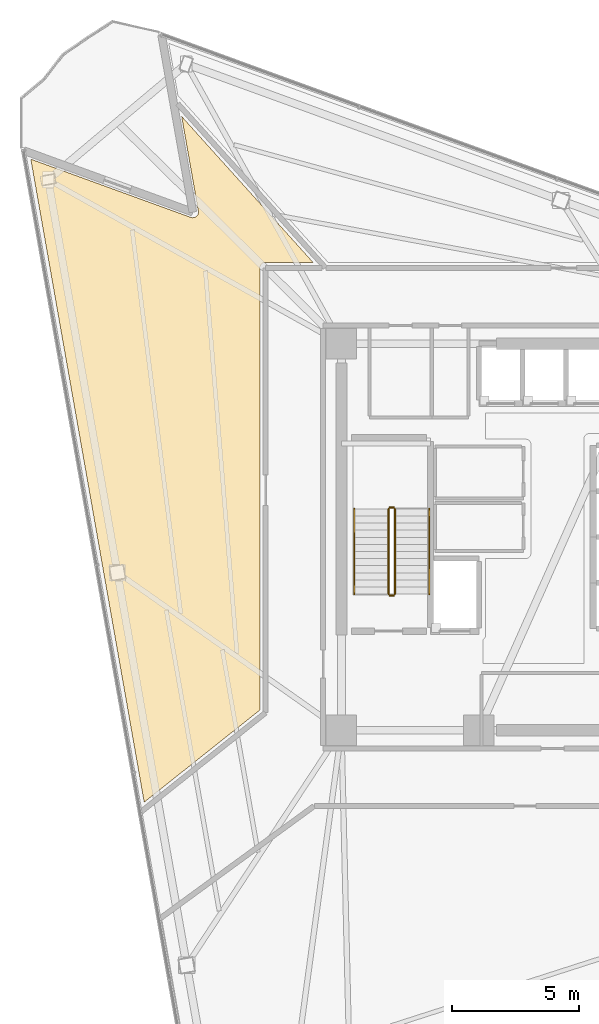
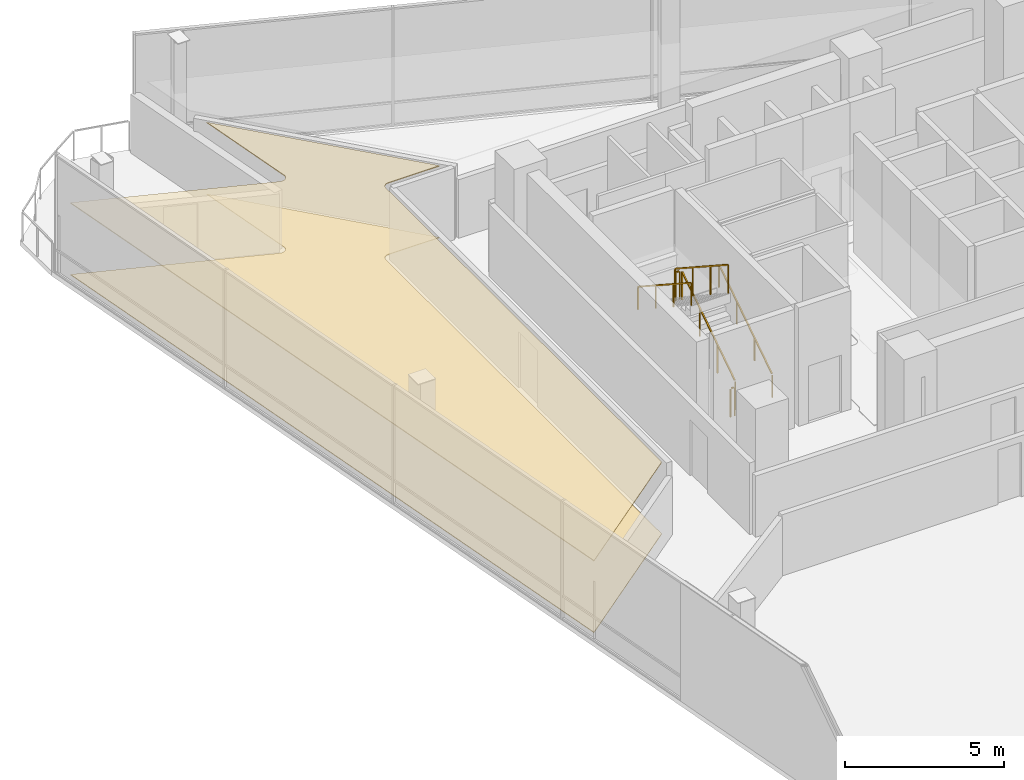
# One storey, part 13 of 15: 6 railings, 2 coverings.
"""IFC4 building model written with IfcOpenShell, lengths in metres."""

from ifc_helpers import new_model, si_unit, direction, frame, origin, origin_2d, place, context, subcontext, project, spatial, polyline, rectangle, outline, extrude, material, layer, layer_set, type_object, element, save


model = new_model("IFC4")

# Units and contexts
model_context = context("Model", 3, precision=1e-05, world=origin(), true_north=direction((0.0, 1.0)))
body_context = subcontext(model_context, "Body", "Model", "MODEL_VIEW")
ifc_project = project(units=[si_unit("LENGTHUNIT", "METRE"), si_unit("AREAUNIT", "SQUARE_METRE"), si_unit("VOLUMEUNIT", "CUBIC_METRE"), si_unit("PLANEANGLEUNIT", "RADIAN"), si_unit("MASSUNIT", "GRAM", prefix="KILO")], contexts=[model_context])

# Site, building, storey
site_placement = place(None, origin())
site = spatial("IfcSite", under=ifc_project, at=site_placement, CompositionType="ELEMENT")
building_placement = place(site_placement, origin())
building = spatial("IfcBuilding", under=site, at=building_placement, Name="Tharavind Bronze Gate", CompositionType="ELEMENT")
storey_placement = place(building_placement, frame((0.0, 0.0, 192.10009765625)))
storey = spatial("IfcBuildingStorey", under=building, at=storey_placement, Name="L49", CompositionType="ELEMENT", Elevation=192.10009765625)

# Coverings
ifc_material_1 = material(Name="Perforated Bronze Acoustic Panel", Category="bronze")
ifc_layer_1 = layer(ifc_material_1, 0.044921875)
ifc_layer_set_1 = layer_set([ifc_layer_1], Name="Perforated Bronze Acoustic Panel")
covering_type_1 = type_object("IfcCoveringType", Name="ACOUSTIC BRONZE BAFFLE CEILING", PredefinedType="CEILING", material=ifc_layer_set_1)
covering_1_placement = place(storey_placement, frame((0.0, 0.0, 2.75)))
element("IfcCovering", 1, at=covering_1_placement, inside=storey, type_object=covering_type_1, Name="L49-RM-02 suspended ceiling", PredefinedType="CEILING", context=body_context, shape_type="SweptSolid", body=[
    extrude(outline(polyline([(-16.656494140625, -10.42431640625), (-12.10009765625, -6.79736328125), (-12.10009765625, 10.579345703125), (-12.099609375, 10.590087890625), (-12.099609375, 10.5908203125), (-12.09765625, 10.6123046875), (-12.093505859375, 10.63330078125), (-12.087158203125, 10.654052734375), (-12.078857421875, 10.674072265625), (-12.068603515625, 10.693115234375), (-12.056640625, 10.7109375), (-12.04296875, 10.727783203125), (-12.027587890625, 10.742919921875), (-12.010986328125, 10.756591796875), (-11.9931640625, 10.768798828125), (-11.97412109375, 10.77880859375), (-11.9541015625, 10.787109375), (-11.933349609375, 10.79345703125), (-11.912353515625, 10.797607421875), (-11.890869140625, 10.7998046875), (-11.89013671875, 10.7998046875), (-11.87939453125, 10.800048828125), (-10.0205078125, 10.800048828125), (-15.183837890625, 16.53466796875), (-14.527099609375, 12.8095703125), (-14.525390625, 12.798828125), (-14.525390625, 12.798095703125), (-14.523681640625, 12.7763671875), (-14.5244140625, 12.75439453125), (-14.527099609375, 12.732666015625), (-14.531982421875, 12.711181640625), (-14.538818359375, 12.6904296875), (-14.5478515625, 12.67041015625), (-14.558837890625, 12.651611328125), (-14.571533203125, 12.6337890625), (-14.586181640625, 12.6171875), (-14.602294921875, 12.602294921875), (-14.61962890625, 12.589111328125), (-14.638427734375, 12.57763671875), (-14.658203125, 12.568115234375), (-14.6787109375, 12.560546875), (-14.699951171875, 12.55517578125), (-14.7216796875, 12.552001953125), (-14.74365234375, 12.55078125), (-14.765380859375, 12.552001953125), (-14.787109375, 12.55517578125), (-14.80859375, 12.560546875), (-14.80908203125, 12.560791015625), (-14.8193359375, 12.564208984375), (-21.114013671875, 14.855224609375), (-16.656494140625, -10.42431640625)])), origin(), (0.0, 0.0, 1.0), 0.034912109375),
])
ifc_material_2 = material(Name="Engineered Oak & Carpet Tile", Category="wood")
ifc_layer_2 = layer(ifc_material_2, 0.02490234375)
ifc_layer_set_2 = layer_set([ifc_layer_2], Name="Engineered Oak & Carpet Tile")
covering_type_2 = type_object("IfcCoveringType", Name="ENGINEERED TIMBER FLOORING", PredefinedType="FLOORING", material=ifc_layer_set_2)
covering_2_placement = place(storey_placement, origin())
element("IfcCovering", 2, at=covering_2_placement, inside=storey, type_object=covering_type_2, Name="L49-RM-02 floor finish", PredefinedType="FLOORING", context=body_context, shape_type="SweptSolid", body=[
    extrude(outline(polyline([(-16.656494140625, -10.42431640625), (-12.10009765625, -6.79736328125), (-12.10009765625, 10.579345703125), (-12.099609375, 10.590087890625), (-12.099609375, 10.5908203125), (-12.09765625, 10.6123046875), (-12.093505859375, 10.63330078125), (-12.087158203125, 10.654052734375), (-12.078857421875, 10.674072265625), (-12.068603515625, 10.693115234375), (-12.056640625, 10.7109375), (-12.04296875, 10.727783203125), (-12.027587890625, 10.742919921875), (-12.010986328125, 10.756591796875), (-11.9931640625, 10.768798828125), (-11.97412109375, 10.77880859375), (-11.9541015625, 10.787109375), (-11.933349609375, 10.79345703125), (-11.912353515625, 10.797607421875), (-11.890869140625, 10.7998046875), (-11.89013671875, 10.7998046875), (-11.87939453125, 10.800048828125), (-10.0205078125, 10.800048828125), (-15.183837890625, 16.53466796875), (-14.527099609375, 12.8095703125), (-14.525390625, 12.798828125), (-14.525390625, 12.798095703125), (-14.523681640625, 12.7763671875), (-14.5244140625, 12.75439453125), (-14.527099609375, 12.732666015625), (-14.531982421875, 12.711181640625), (-14.538818359375, 12.6904296875), (-14.5478515625, 12.67041015625), (-14.558837890625, 12.651611328125), (-14.571533203125, 12.6337890625), (-14.586181640625, 12.6171875), (-14.602294921875, 12.602294921875), (-14.61962890625, 12.589111328125), (-14.638427734375, 12.57763671875), (-14.658203125, 12.568115234375), (-14.6787109375, 12.560546875), (-14.699951171875, 12.55517578125), (-14.7216796875, 12.552001953125), (-14.74365234375, 12.55078125), (-14.765380859375, 12.552001953125), (-14.787109375, 12.55517578125), (-14.80859375, 12.560546875), (-14.80908203125, 12.560791015625), (-14.8193359375, 12.564208984375), (-21.114013671875, 14.855224609375), (-16.656494140625, -10.42431640625)])), origin(), (0.0, 0.0, 1.0), 0.02490234375),
])

# Railings
ifc_material_3 = material(Name="Brushed Bronze Alloy", Category="metal")
railing_type_1 = type_object("IfcRailingType", Name="STAIR BRONZE HANDRAIL 900", PredefinedType="HANDRAIL", material=ifc_material_3)
railing_1_placement = place(storey_placement, frame((-5.449951171875, -2.25, 0.1826171875)))
element("IfcRailing", 3, at=railing_1_placement, inside=storey, type_object=railing_type_1, Name="L49 ST1 stair handrail 1", PredefinedType="HANDRAIL", context=body_context, shape_type="SweptSolid", body=[
    extrude(rectangle(XDim=0.048095703125, YDim=0.048095703125, at=origin_2d()), frame((0.0, 0.02685546875, 0.893310546875), z_axis=(0.0, 0.837495574281, 0.546444107901), x_axis=(-1.0, 0.0, 0.0)), (0.0, 0.0, 1.0), 3.947998046875),
    extrude(rectangle(XDim=0.0400390625, YDim=0.0400390625, at=origin_2d()), origin(), (0.0, 0.0, 1.0), 0.847900390625),
    extrude(rectangle(XDim=0.0400390625, YDim=0.0400390625, at=origin_2d()), frame((0.0, 1.1201171875, 0.730712890625)), (0.0, 0.0, 1.0), 0.847900390625),
    extrude(rectangle(XDim=0.0400390625, YDim=0.0400390625, at=origin_2d()), frame((0.0, 2.239990234375, 1.461669921875)), (0.0, 0.0, 1.0), 0.847900390625),
    extrude(rectangle(XDim=0.0400390625, YDim=0.0400390625, at=origin_2d()), frame((0.0, 3.360107421875, 2.1923828125)), (0.0, 0.0, 1.0), 0.847900390625),
])
railing_2_placement = place(storey_placement, frame((-8.39990234375, 1.110107421875, 2.5576171875)))
element("IfcRailing", 4, at=railing_2_placement, inside=storey, type_object=railing_type_1, Name="L49 ST1 stair handrail 2", PredefinedType="HANDRAIL", context=body_context, shape_type="SweptSolid", body=[
    extrude(rectangle(XDim=0.048095703125, YDim=0.048095703125, at=origin_2d()), frame((0.0, -0.02685546875, 0.893310546875), z_axis=(0.0, -0.837495574281, 0.546444107901), x_axis=(1.0, 0.0, 0.0)), (0.0, 0.0, 1.0), 3.947998046875),
    extrude(rectangle(XDim=0.0400390625, YDim=0.0400390625, at=origin_2d()), origin(), (0.0, 0.0, 1.0), 0.847900390625),
    extrude(rectangle(XDim=0.0400390625, YDim=0.0400390625, at=origin_2d()), frame((0.0, -1.1201171875, 0.730712890625)), (0.0, 0.0, 1.0), 0.847900390625),
    extrude(rectangle(XDim=0.0400390625, YDim=0.0400390625, at=origin_2d()), frame((0.0, -2.239990234375, 1.461669921875)), (0.0, 0.0, 1.0), 0.847900390625),
    extrude(rectangle(XDim=0.0400390625, YDim=0.0400390625, at=origin_2d()), frame((0.0, -3.360107421875, 2.1923828125)), (0.0, 0.0, 1.0), 0.847900390625),
])
railing_type_2 = type_object("IfcRailingType", Name="STAIR WELL GUARD RAILING 1120", PredefinedType="GUARDRAIL", material=ifc_material_3)
railing_3_placement = place(storey_placement, frame((-6.800048828125, -2.25, 0.1826171875)))
element("IfcRailing", 5, at=railing_3_placement, inside=storey, type_object=railing_type_2, Name="L49 ST1 stair guard 1", PredefinedType="GUARDRAIL", context=body_context, shape_type="SweptSolid", body=[
    extrude(rectangle(XDim=0.048095703125, YDim=0.048095703125, at=origin_2d()), frame((0.0, 0.02685546875, 1.113525390625), z_axis=(0.0, 0.837495574281, 0.546444107901), x_axis=(-1.0, 0.0, 0.0)), (0.0, 0.0, 1.0), 3.947998046875),
    extrude(rectangle(XDim=0.0400390625, YDim=0.0400390625, at=origin_2d()), origin(), (0.0, 0.0, 1.0), 1.068115234375),
    extrude(rectangle(XDim=0.0400390625, YDim=0.0400390625, at=origin_2d()), frame((0.0, 1.1201171875, 0.730712890625)), (0.0, 0.0, 1.0), 1.068115234375),
    extrude(rectangle(XDim=0.0400390625, YDim=0.0400390625, at=origin_2d()), frame((0.0, 2.239990234375, 1.461669921875)), (0.0, 0.0, 1.0), 1.068115234375),
    extrude(rectangle(XDim=0.0400390625, YDim=0.0400390625, at=origin_2d()), frame((0.0, 3.360107421875, 2.1923828125)), (0.0, 0.0, 1.0), 1.068115234375),
])
railing_4_placement = place(storey_placement, frame((-6.85009765625, 1.159912109375, 2.375)))
element("IfcRailing", 6, at=railing_4_placement, inside=storey, type_object=railing_type_2, Name="L49 ST1 stair guard 2", PredefinedType="GUARDRAIL", context=body_context, shape_type="SweptSolid", body=[
    extrude(rectangle(XDim=0.048095703125, YDim=0.048095703125, at=origin_2d()), frame((-0.031982421875, 0.0, 1.09619140625), z_axis=(-1.0, 0.0, 0.0), x_axis=(0.0, -1.0, 0.0)), (0.0, 0.0, 1.0), 0.0859375),
    extrude(rectangle(XDim=0.0400390625, YDim=0.0400390625, at=origin_2d()), origin(), (0.0, 0.0, 1.0), 1.068115234375),
    extrude(rectangle(XDim=0.0400390625, YDim=0.0400390625, at=origin_2d()), frame((-0.14990234375, 0.0, 0.0)), (0.0, 0.0, 1.0), 1.068115234375),
])
railing_5_placement = place(storey_placement, frame((-7.050048828125, 1.110107421875, 2.5576171875)))
element("IfcRailing", 7, at=railing_5_placement, inside=storey, type_object=railing_type_2, Name="L49 ST1 stair guard 3", PredefinedType="GUARDRAIL", context=body_context, shape_type="SweptSolid", body=[
    extrude(rectangle(XDim=0.048095703125, YDim=0.048095703125, at=origin_2d()), frame((0.0, -0.02685546875, 1.113525390625), z_axis=(0.0, -0.837495574281, 0.546444107901), x_axis=(1.0, 0.0, 0.0)), (0.0, 0.0, 1.0), 3.947998046875),
    extrude(rectangle(XDim=0.0400390625, YDim=0.0400390625, at=origin_2d()), origin(), (0.0, 0.0, 1.0), 1.068115234375),
    extrude(rectangle(XDim=0.0400390625, YDim=0.0400390625, at=origin_2d()), frame((0.0, -1.1201171875, 0.730712890625)), (0.0, 0.0, 1.0), 1.068115234375),
    extrude(rectangle(XDim=0.0400390625, YDim=0.0400390625, at=origin_2d()), frame((0.0, -2.239990234375, 1.461669921875)), (0.0, 0.0, 1.0), 1.068115234375),
    extrude(rectangle(XDim=0.0400390625, YDim=0.0400390625, at=origin_2d()), frame((0.0, -3.360107421875, 2.1923828125)), (0.0, 0.0, 1.0), 1.068115234375),
])
railing_6_placement = place(storey_placement, frame((-6.85009765625, -2.300048828125, 0.0)))
element("IfcRailing", 8, at=railing_6_placement, inside=storey, type_object=railing_type_2, Name="L49 ST1 stair guard 4", PredefinedType="GUARDRAIL", context=body_context, shape_type="SweptSolid", body=[
    extrude(rectangle(XDim=0.048095703125, YDim=0.048095703125, at=origin_2d()), frame((-0.031982421875, 0.0, 1.09619140625), z_axis=(-1.0, 0.0, 0.0), x_axis=(0.0, -1.0, 0.0)), (0.0, 0.0, 1.0), 0.0859375),
    extrude(rectangle(XDim=0.0400390625, YDim=0.0400390625, at=origin_2d()), origin(), (0.0, 0.0, 1.0), 1.068115234375),
    extrude(rectangle(XDim=0.0400390625, YDim=0.0400390625, at=origin_2d()), frame((-0.14990234375, 0.0, 0.0)), (0.0, 0.0, 1.0), 1.068115234375),
])

save(model, "model.ifc")
